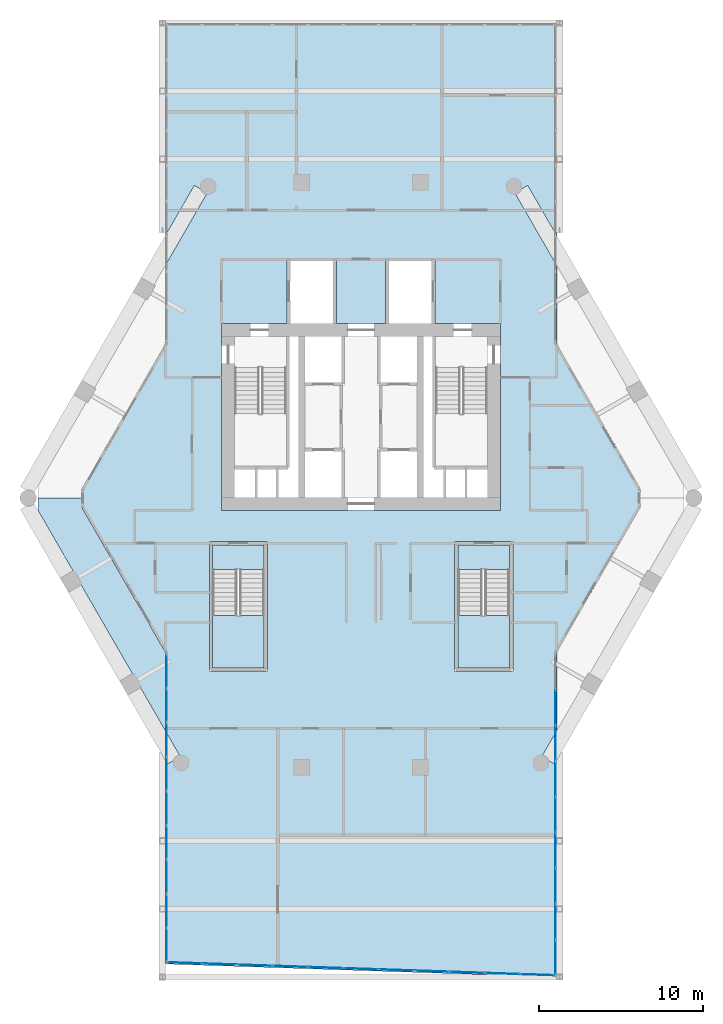
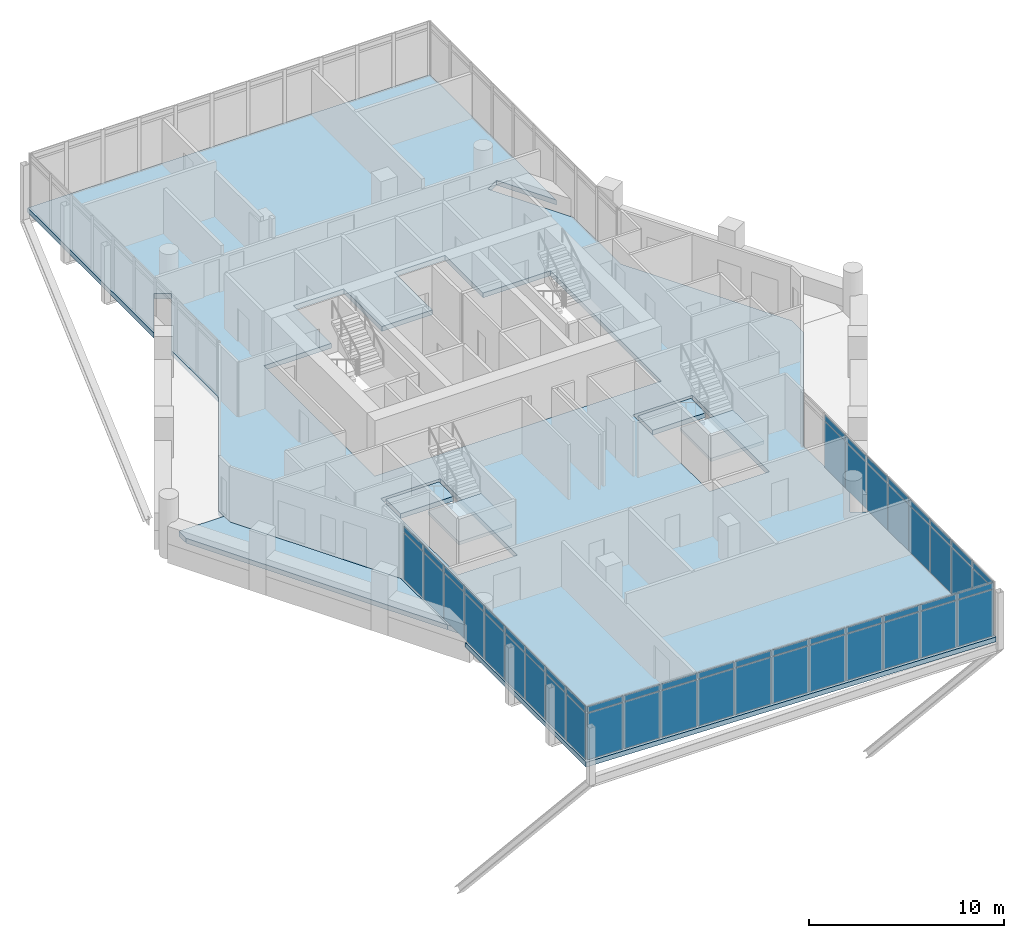
# One storey, part 29 of 38: 56 plates, 6 slabs, 5 elements without a shape of their own.
"""IFC4 building model written with IfcOpenShell, lengths in metres."""

from ifc_helpers import new_model, si_unit, direction, frame, origin, origin_2d, place, context, subcontext, project, spatial, polyline, rectangle, outline, extrude, material, layer, layer_set, type_object, element, aggregate, save


model = new_model("IFC4")

# Units and contexts
model_context = context("Model", 3, precision=1e-05, world=origin(), true_north=direction((0.0, 1.0)))
body_context = subcontext(model_context, "Body", "Model", "MODEL_VIEW")
ifc_project = project(units=[si_unit("LENGTHUNIT", "METRE"), si_unit("AREAUNIT", "SQUARE_METRE"), si_unit("VOLUMEUNIT", "CUBIC_METRE"), si_unit("PLANEANGLEUNIT", "RADIAN"), si_unit("MASSUNIT", "GRAM", prefix="KILO")], contexts=[model_context])

# Site, building, storey
site_placement = place(None, origin())
site = spatial("IfcSite", under=ifc_project, at=site_placement, CompositionType="ELEMENT")
building_placement = place(site_placement, origin())
building = spatial("IfcBuilding", under=site, at=building_placement, Name="Ostrander Bayou Hotel Tower", CompositionType="ELEMENT")
storey_placement = place(building_placement, frame((0.0, 0.0, 194.5)))
storey = spatial("IfcBuildingStorey", under=building, at=storey_placement, Name="L48", CompositionType="ELEMENT", Elevation=194.5)

# Curtain wall, plates
ifc_material_1 = material(Name="Aluminium and clear glass", Category="aluminium")
curtain_wall_type = type_object("IfcCurtainWallType", Name="CW-BAR glazed wall", PredefinedType="NOTDEFINED", material=ifc_material_1)
curtain_wall_1_placement = place(storey_placement, origin())
curtain_wall_1 = element("IfcCurtainWall", 1, at=curtain_wall_1_placement, inside=storey, type_object=curtain_wall_type, Name="CW-BAR L48:SB4S:E", PredefinedType="NOTDEFINED")
ifc_material_2 = material(Name="Clear laminated glass", Category="glass")
ifc_layer_1 = layer(ifc_material_2, 0.028076171875)
ifc_layer_set_1 = layer_set([ifc_layer_1], Name="CW-BR glazing panel 28 mm")
plate_type = type_object("IfcPlateType", Name="CW-BR glazing panel 28 mm", PredefinedType="CURTAIN_PANEL", material=ifc_layer_set_1)
plate_1_placement = place(storey_placement, frame((-11.857177734375, -11.521484375, 0.06005859375), z_axis=(0.0, 0.0, 1.0), x_axis=(0.0, -1.0, 0.0)))
plate_1 = element("IfcPlate", 2, at=plate_1_placement, type_object=plate_type, Name="CW-BAR panel 1.1", PredefinedType="CURTAIN_PANEL", context=body_context, shape_type="SweptSolid", body=[
    extrude(rectangle(XDim=1.997802734375, YDim=0.028076171875, at=origin_2d()), origin(), (0.0, 0.0, 1.0), 2.909912109375),
])
plate_2_placement = place(storey_placement, frame((-11.857177734375, -11.521484375, 3.02978515625), z_axis=(0.0, 0.0, 1.0), x_axis=(0.0, -1.0, 0.0)))
plate_2 = element("IfcPlate", 3, at=plate_2_placement, type_object=plate_type, Name="CW-BAR panel 1.2", PredefinedType="CURTAIN_PANEL", context=body_context, shape_type="SweptSolid", body=[
    extrude(rectangle(XDim=1.997802734375, YDim=0.028076171875, at=origin_2d()), origin(), (0.0, 0.0, 1.0), 0.360107421875),
])
plate_3_placement = place(storey_placement, frame((-11.857177734375, -13.59423828125, 0.06005859375), z_axis=(0.0, 0.0, 1.0), x_axis=(0.0, -1.0, 0.0)))
plate_3 = element("IfcPlate", 4, at=plate_3_placement, type_object=plate_type, Name="CW-BAR panel 2.1", PredefinedType="CURTAIN_PANEL", context=body_context, shape_type="SweptSolid", body=[
    extrude(rectangle(XDim=2.02783203125, YDim=0.028076171875, at=origin_2d()), origin(), (0.0, 0.0, 1.0), 2.909912109375),
])
plate_4_placement = place(storey_placement, frame((-11.857177734375, -13.59423828125, 3.02978515625), z_axis=(0.0, 0.0, 1.0), x_axis=(0.0, -1.0, 0.0)))
plate_4 = element("IfcPlate", 5, at=plate_4_placement, type_object=plate_type, Name="CW-BAR panel 2.2", PredefinedType="CURTAIN_PANEL", context=body_context, shape_type="SweptSolid", body=[
    extrude(rectangle(XDim=2.02783203125, YDim=0.028076171875, at=origin_2d()), origin(), (0.0, 0.0, 1.0), 0.360107421875),
])
plate_5_placement = place(storey_placement, frame((-11.857177734375, -15.68212890625, 0.06005859375), z_axis=(0.0, 0.0, 1.0), x_axis=(0.0, -1.0, 0.0)))
plate_5 = element("IfcPlate", 6, at=plate_5_placement, type_object=plate_type, Name="CW-BAR panel 3.1", PredefinedType="CURTAIN_PANEL", context=body_context, shape_type="SweptSolid", body=[
    extrude(rectangle(XDim=2.02783203125, YDim=0.028076171875, at=origin_2d()), origin(), (0.0, 0.0, 1.0), 2.909912109375),
])
plate_6_placement = place(storey_placement, frame((-11.857177734375, -15.68212890625, 3.02978515625), z_axis=(0.0, 0.0, 1.0), x_axis=(0.0, -1.0, 0.0)))
plate_6 = element("IfcPlate", 7, at=plate_6_placement, type_object=plate_type, Name="CW-BAR panel 3.2", PredefinedType="CURTAIN_PANEL", context=body_context, shape_type="SweptSolid", body=[
    extrude(rectangle(XDim=2.02783203125, YDim=0.028076171875, at=origin_2d()), origin(), (0.0, 0.0, 1.0), 0.360107421875),
])
plate_7_placement = place(storey_placement, frame((-11.857177734375, -17.769775390625, 0.06005859375), z_axis=(0.0, 0.0, 1.0), x_axis=(0.0, -1.0, 0.0)))
plate_7 = element("IfcPlate", 8, at=plate_7_placement, type_object=plate_type, Name="CW-BAR panel 4.1", PredefinedType="CURTAIN_PANEL", context=body_context, shape_type="SweptSolid", body=[
    extrude(rectangle(XDim=2.02783203125, YDim=0.028076171875, at=origin_2d()), origin(), (0.0, 0.0, 1.0), 2.909912109375),
])
plate_8_placement = place(storey_placement, frame((-11.857177734375, -17.769775390625, 3.02978515625), z_axis=(0.0, 0.0, 1.0), x_axis=(0.0, -1.0, 0.0)))
plate_8 = element("IfcPlate", 9, at=plate_8_placement, type_object=plate_type, Name="CW-BAR panel 4.2", PredefinedType="CURTAIN_PANEL", context=body_context, shape_type="SweptSolid", body=[
    extrude(rectangle(XDim=2.02783203125, YDim=0.028076171875, at=origin_2d()), origin(), (0.0, 0.0, 1.0), 0.360107421875),
])
plate_9_placement = place(storey_placement, frame((-11.857177734375, -19.857666015625, 0.06005859375), z_axis=(0.0, 0.0, 1.0), x_axis=(0.0, -1.0, 0.0)))
plate_9 = element("IfcPlate", 10, at=plate_9_placement, type_object=plate_type, Name="CW-BAR panel 5.1", PredefinedType="CURTAIN_PANEL", context=body_context, shape_type="SweptSolid", body=[
    extrude(rectangle(XDim=2.02783203125, YDim=0.028076171875, at=origin_2d()), origin(), (0.0, 0.0, 1.0), 2.909912109375),
])
plate_10_placement = place(storey_placement, frame((-11.857177734375, -19.857666015625, 3.02978515625), z_axis=(0.0, 0.0, 1.0), x_axis=(0.0, -1.0, 0.0)))
plate_10 = element("IfcPlate", 11, at=plate_10_placement, type_object=plate_type, Name="CW-BAR panel 5.2", PredefinedType="CURTAIN_PANEL", context=body_context, shape_type="SweptSolid", body=[
    extrude(rectangle(XDim=2.02783203125, YDim=0.028076171875, at=origin_2d()), origin(), (0.0, 0.0, 1.0), 0.360107421875),
])
plate_11_placement = place(storey_placement, frame((-11.857177734375, -21.9453125, 0.06005859375), z_axis=(0.0, 0.0, 1.0), x_axis=(0.0, -1.0, 0.0)))
plate_11 = element("IfcPlate", 12, at=plate_11_placement, type_object=plate_type, Name="CW-BAR panel 6.1", PredefinedType="CURTAIN_PANEL", context=body_context, shape_type="SweptSolid", body=[
    extrude(rectangle(XDim=2.02783203125, YDim=0.028076171875, at=origin_2d()), origin(), (0.0, 0.0, 1.0), 2.909912109375),
])
plate_12_placement = place(storey_placement, frame((-11.857177734375, -21.9453125, 3.02978515625), z_axis=(0.0, 0.0, 1.0), x_axis=(0.0, -1.0, 0.0)))
plate_12 = element("IfcPlate", 13, at=plate_12_placement, type_object=plate_type, Name="CW-BAR panel 6.2", PredefinedType="CURTAIN_PANEL", context=body_context, shape_type="SweptSolid", body=[
    extrude(rectangle(XDim=2.02783203125, YDim=0.028076171875, at=origin_2d()), origin(), (0.0, 0.0, 1.0), 0.360107421875),
])
plate_13_placement = place(storey_placement, frame((-11.857177734375, -24.033203125, 0.06005859375), z_axis=(0.0, 0.0, 1.0), x_axis=(0.0, -1.0, 0.0)))
plate_13 = element("IfcPlate", 14, at=plate_13_placement, type_object=plate_type, Name="CW-BAR panel 7.1", PredefinedType="CURTAIN_PANEL", context=body_context, shape_type="SweptSolid", body=[
    extrude(rectangle(XDim=2.02783203125, YDim=0.028076171875, at=origin_2d()), origin(), (0.0, 0.0, 1.0), 2.909912109375),
])
plate_14_placement = place(storey_placement, frame((-11.857177734375, -24.033203125, 3.02978515625), z_axis=(0.0, 0.0, 1.0), x_axis=(0.0, -1.0, 0.0)))
plate_14 = element("IfcPlate", 15, at=plate_14_placement, type_object=plate_type, Name="CW-BAR panel 7.2", PredefinedType="CURTAIN_PANEL", context=body_context, shape_type="SweptSolid", body=[
    extrude(rectangle(XDim=2.02783203125, YDim=0.028076171875, at=origin_2d()), origin(), (0.0, 0.0, 1.0), 0.360107421875),
])
plate_15_placement = place(storey_placement, frame((-11.857177734375, -26.120849609375, 0.06005859375), z_axis=(0.0, 0.0, 1.0), x_axis=(0.0, -1.0, 0.0)))
plate_15 = element("IfcPlate", 16, at=plate_15_placement, type_object=plate_type, Name="CW-BAR panel 8.1", PredefinedType="CURTAIN_PANEL", context=body_context, shape_type="SweptSolid", body=[
    extrude(rectangle(XDim=2.02783203125, YDim=0.028076171875, at=origin_2d()), origin(), (0.0, 0.0, 1.0), 2.909912109375),
])
plate_16_placement = place(storey_placement, frame((-11.857177734375, -26.120849609375, 3.02978515625), z_axis=(0.0, 0.0, 1.0), x_axis=(0.0, -1.0, 0.0)))
plate_16 = element("IfcPlate", 17, at=plate_16_placement, type_object=plate_type, Name="CW-BAR panel 8.2", PredefinedType="CURTAIN_PANEL", context=body_context, shape_type="SweptSolid", body=[
    extrude(rectangle(XDim=2.02783203125, YDim=0.028076171875, at=origin_2d()), origin(), (0.0, 0.0, 1.0), 0.360107421875),
])
plate_17_placement = place(storey_placement, frame((-11.857177734375, -28.193603515625, 0.06005859375), z_axis=(0.0, 0.0, 1.0), x_axis=(0.0, -1.0, 0.0)))
plate_17 = element("IfcPlate", 18, at=plate_17_placement, type_object=plate_type, Name="CW-BAR panel 9.1", PredefinedType="CURTAIN_PANEL", context=body_context, shape_type="SweptSolid", body=[
    extrude(rectangle(XDim=1.997802734375, YDim=0.028076171875, at=origin_2d()), origin(), (0.0, 0.0, 1.0), 2.909912109375),
])
plate_18_placement = place(storey_placement, frame((-11.857177734375, -28.193603515625, 3.02978515625), z_axis=(0.0, 0.0, 1.0), x_axis=(0.0, -1.0, 0.0)))
plate_18 = element("IfcPlate", 19, at=plate_18_placement, type_object=plate_type, Name="CW-BAR panel 9.2", PredefinedType="CURTAIN_PANEL", context=body_context, shape_type="SweptSolid", body=[
    extrude(rectangle(XDim=1.997802734375, YDim=0.028076171875, at=origin_2d()), origin(), (0.0, 0.0, 1.0), 0.360107421875),
])
aggregate(curtain_wall_1, [plate_1, plate_2, plate_3, plate_4, plate_5, plate_6, plate_7, plate_8, plate_9, plate_10, plate_11, plate_12, plate_13, plate_14, plate_15, plate_16, plate_17, plate_18])

curtain_wall_2_placement = place(storey_placement, origin())
curtain_wall_2 = element("IfcCurtainWall", 20, at=curtain_wall_2_placement, inside=storey, type_object=curtain_wall_type, Name="CW-BAR L48:SB4S:T", PredefinedType="NOTDEFINED")
plate_19_placement = place(storey_placement, frame((-10.76416015625, -29.2890625, 0.06005859375), z_axis=(0.0, 0.0, 1.0), x_axis=(0.999438546097, -0.03350511268, 0.0)))
plate_19 = element("IfcPlate", 21, at=plate_19_placement, type_object=plate_type, Name="CW-BAR panel 1.1", PredefinedType="CURTAIN_PANEL", context=body_context, shape_type="SweptSolid", body=[
    extrude(rectangle(XDim=2.067138671875, YDim=0.028076171875, at=origin_2d()), origin(), (0.0, 0.0, 1.0), 2.909912109375),
])
plate_20_placement = place(storey_placement, frame((-10.76416015625, -29.2890625, 3.02978515625), z_axis=(0.0, 0.0, 1.0), x_axis=(0.999438546097, -0.03350511268, 0.0)))
plate_20 = element("IfcPlate", 22, at=plate_20_placement, type_object=plate_type, Name="CW-BAR panel 1.2", PredefinedType="CURTAIN_PANEL", context=body_context, shape_type="SweptSolid", body=[
    extrude(rectangle(XDim=2.067138671875, YDim=0.028076171875, at=origin_2d()), origin(), (0.0, 0.0, 1.0), 0.360107421875),
])
plate_21_placement = place(storey_placement, frame((-8.62353515625, -29.36083984375, 0.06005859375), z_axis=(0.0, 0.0, 1.0), x_axis=(0.999438546097, -0.03350511268, 0.0)))
plate_21 = element("IfcPlate", 23, at=plate_21_placement, type_object=plate_type, Name="CW-BAR panel 2.1", PredefinedType="CURTAIN_PANEL", context=body_context, shape_type="SweptSolid", body=[
    extrude(rectangle(XDim=2.09716796875, YDim=0.028076171875, at=origin_2d()), origin(), (0.0, 0.0, 1.0), 2.909912109375),
])
plate_22_placement = place(storey_placement, frame((-8.62353515625, -29.36083984375, 3.02978515625), z_axis=(0.0, 0.0, 1.0), x_axis=(0.999438546097, -0.03350511268, 0.0)))
plate_22 = element("IfcPlate", 24, at=plate_22_placement, type_object=plate_type, Name="CW-BAR panel 2.2", PredefinedType="CURTAIN_PANEL", context=body_context, shape_type="SweptSolid", body=[
    extrude(rectangle(XDim=2.09716796875, YDim=0.028076171875, at=origin_2d()), origin(), (0.0, 0.0, 1.0), 0.360107421875),
])
plate_23_placement = place(storey_placement, frame((-6.467529296875, -29.43310546875, 0.06005859375), z_axis=(0.0, 0.0, 1.0), x_axis=(0.999438546097, -0.03350511268, 0.0)))
plate_23 = element("IfcPlate", 25, at=plate_23_placement, type_object=plate_type, Name="CW-BAR panel 3.1", PredefinedType="CURTAIN_PANEL", context=body_context, shape_type="SweptSolid", body=[
    extrude(rectangle(XDim=2.09716796875, YDim=0.028076171875, at=origin_2d()), origin(), (0.0, 0.0, 1.0), 2.909912109375),
])
plate_24_placement = place(storey_placement, frame((-6.467529296875, -29.43310546875, 3.02978515625), z_axis=(0.0, 0.0, 1.0), x_axis=(0.999438546097, -0.03350511268, 0.0)))
plate_24 = element("IfcPlate", 26, at=plate_24_placement, type_object=plate_type, Name="CW-BAR panel 3.2", PredefinedType="CURTAIN_PANEL", context=body_context, shape_type="SweptSolid", body=[
    extrude(rectangle(XDim=2.09716796875, YDim=0.028076171875, at=origin_2d()), origin(), (0.0, 0.0, 1.0), 0.360107421875),
])
plate_25_placement = place(storey_placement, frame((-4.311767578125, -29.50537109375, 0.06005859375), z_axis=(0.0, 0.0, 1.0), x_axis=(0.999438546097, -0.03350511268, 0.0)))
plate_25 = element("IfcPlate", 27, at=plate_25_placement, type_object=plate_type, Name="CW-BAR panel 4.1", PredefinedType="CURTAIN_PANEL", context=body_context, shape_type="SweptSolid", body=[
    extrude(rectangle(XDim=2.09716796875, YDim=0.028076171875, at=origin_2d()), origin(), (0.0, 0.0, 1.0), 2.909912109375),
])
plate_26_placement = place(storey_placement, frame((-4.311767578125, -29.50537109375, 3.02978515625), z_axis=(0.0, 0.0, 1.0), x_axis=(0.999438546097, -0.03350511268, 0.0)))
plate_26 = element("IfcPlate", 28, at=plate_26_placement, type_object=plate_type, Name="CW-BAR panel 4.2", PredefinedType="CURTAIN_PANEL", context=body_context, shape_type="SweptSolid", body=[
    extrude(rectangle(XDim=2.09716796875, YDim=0.028076171875, at=origin_2d()), origin(), (0.0, 0.0, 1.0), 0.360107421875),
])
plate_27_placement = place(storey_placement, frame((-2.15576171875, -29.57763671875, 0.06005859375), z_axis=(0.0, 0.0, 1.0), x_axis=(0.999438546097, -0.03350511268, 0.0)))
plate_27 = element("IfcPlate", 29, at=plate_27_placement, type_object=plate_type, Name="CW-BAR panel 5.1", PredefinedType="CURTAIN_PANEL", context=body_context, shape_type="SweptSolid", body=[
    extrude(rectangle(XDim=2.09716796875, YDim=0.028076171875, at=origin_2d()), origin(), (0.0, 0.0, 1.0), 2.909912109375),
])
plate_28_placement = place(storey_placement, frame((-2.15576171875, -29.57763671875, 3.02978515625), z_axis=(0.0, 0.0, 1.0), x_axis=(0.999438546097, -0.03350511268, 0.0)))
plate_28 = element("IfcPlate", 30, at=plate_28_placement, type_object=plate_type, Name="CW-BAR panel 5.2", PredefinedType="CURTAIN_PANEL", context=body_context, shape_type="SweptSolid", body=[
    extrude(rectangle(XDim=2.09716796875, YDim=0.028076171875, at=origin_2d()), origin(), (0.0, 0.0, 1.0), 0.360107421875),
])
plate_29_placement = place(storey_placement, frame((0.0, -29.64990234375, 0.06005859375), z_axis=(0.0, 0.0, 1.0), x_axis=(0.999438546097, -0.03350511268, 0.0)))
plate_29 = element("IfcPlate", 31, at=plate_29_placement, type_object=plate_type, Name="CW-BAR panel 6.1", PredefinedType="CURTAIN_PANEL", context=body_context, shape_type="SweptSolid", body=[
    extrude(rectangle(XDim=2.09716796875, YDim=0.028076171875, at=origin_2d()), origin(), (0.0, 0.0, 1.0), 2.909912109375),
])
plate_30_placement = place(storey_placement, frame((0.0, -29.64990234375, 3.02978515625), z_axis=(0.0, 0.0, 1.0), x_axis=(0.999438546097, -0.03350511268, 0.0)))
plate_30 = element("IfcPlate", 32, at=plate_30_placement, type_object=plate_type, Name="CW-BAR panel 6.2", PredefinedType="CURTAIN_PANEL", context=body_context, shape_type="SweptSolid", body=[
    extrude(rectangle(XDim=2.09716796875, YDim=0.028076171875, at=origin_2d()), origin(), (0.0, 0.0, 1.0), 0.360107421875),
])
plate_31_placement = place(storey_placement, frame((2.15576171875, -29.72216796875, 0.06005859375), z_axis=(0.0, 0.0, 1.0), x_axis=(0.999438546097, -0.03350511268, 0.0)))
plate_31 = element("IfcPlate", 33, at=plate_31_placement, type_object=plate_type, Name="CW-BAR panel 7.1", PredefinedType="CURTAIN_PANEL", context=body_context, shape_type="SweptSolid", body=[
    extrude(rectangle(XDim=2.09716796875, YDim=0.028076171875, at=origin_2d()), origin(), (0.0, 0.0, 1.0), 2.909912109375),
])
plate_32_placement = place(storey_placement, frame((2.15576171875, -29.72216796875, 3.02978515625), z_axis=(0.0, 0.0, 1.0), x_axis=(0.999438546097, -0.03350511268, 0.0)))
plate_32 = element("IfcPlate", 34, at=plate_32_placement, type_object=plate_type, Name="CW-BAR panel 7.2", PredefinedType="CURTAIN_PANEL", context=body_context, shape_type="SweptSolid", body=[
    extrude(rectangle(XDim=2.09716796875, YDim=0.028076171875, at=origin_2d()), origin(), (0.0, 0.0, 1.0), 0.360107421875),
])
plate_33_placement = place(storey_placement, frame((4.311767578125, -29.79443359375, 0.06005859375), z_axis=(0.0, 0.0, 1.0), x_axis=(0.999438546097, -0.03350511268, 0.0)))
plate_33 = element("IfcPlate", 35, at=plate_33_placement, type_object=plate_type, Name="CW-BAR panel 8.1", PredefinedType="CURTAIN_PANEL", context=body_context, shape_type="SweptSolid", body=[
    extrude(rectangle(XDim=2.09716796875, YDim=0.028076171875, at=origin_2d()), origin(), (0.0, 0.0, 1.0), 2.909912109375),
])
plate_34_placement = place(storey_placement, frame((4.311767578125, -29.79443359375, 3.02978515625), z_axis=(0.0, 0.0, 1.0), x_axis=(0.999438546097, -0.03350511268, 0.0)))
plate_34 = element("IfcPlate", 36, at=plate_34_placement, type_object=plate_type, Name="CW-BAR panel 8.2", PredefinedType="CURTAIN_PANEL", context=body_context, shape_type="SweptSolid", body=[
    extrude(rectangle(XDim=2.09716796875, YDim=0.028076171875, at=origin_2d()), origin(), (0.0, 0.0, 1.0), 0.360107421875),
])
plate_35_placement = place(storey_placement, frame((6.467529296875, -29.86669921875, 0.06005859375), z_axis=(0.0, 0.0, 1.0), x_axis=(0.999438546097, -0.03350511268, 0.0)))
plate_35 = element("IfcPlate", 37, at=plate_35_placement, type_object=plate_type, Name="CW-BAR panel 9.1", PredefinedType="CURTAIN_PANEL", context=body_context, shape_type="SweptSolid", body=[
    extrude(rectangle(XDim=2.09716796875, YDim=0.028076171875, at=origin_2d()), origin(), (0.0, 0.0, 1.0), 2.909912109375),
])
plate_36_placement = place(storey_placement, frame((6.467529296875, -29.86669921875, 3.02978515625), z_axis=(0.0, 0.0, 1.0), x_axis=(0.999438546097, -0.03350511268, 0.0)))
plate_36 = element("IfcPlate", 38, at=plate_36_placement, type_object=plate_type, Name="CW-BAR panel 9.2", PredefinedType="CURTAIN_PANEL", context=body_context, shape_type="SweptSolid", body=[
    extrude(rectangle(XDim=2.09716796875, YDim=0.028076171875, at=origin_2d()), origin(), (0.0, 0.0, 1.0), 0.360107421875),
])
plate_37_placement = place(storey_placement, frame((8.62353515625, -29.939208984375, 0.06005859375), z_axis=(0.0, 0.0, 1.0), x_axis=(0.999438546097, -0.03350511268, 0.0)))
plate_37 = element("IfcPlate", 39, at=plate_37_placement, type_object=plate_type, Name="CW-BAR panel 10.1", PredefinedType="CURTAIN_PANEL", context=body_context, shape_type="SweptSolid", body=[
    extrude(rectangle(XDim=2.09716796875, YDim=0.028076171875, at=origin_2d()), origin(), (0.0, 0.0, 1.0), 2.909912109375),
])
plate_38_placement = place(storey_placement, frame((8.62353515625, -29.939208984375, 3.02978515625), z_axis=(0.0, 0.0, 1.0), x_axis=(0.999438546097, -0.03350511268, 0.0)))
plate_38 = element("IfcPlate", 40, at=plate_38_placement, type_object=plate_type, Name="CW-BAR panel 10.2", PredefinedType="CURTAIN_PANEL", context=body_context, shape_type="SweptSolid", body=[
    extrude(rectangle(XDim=2.09716796875, YDim=0.028076171875, at=origin_2d()), origin(), (0.0, 0.0, 1.0), 0.360107421875),
])
plate_39_placement = place(storey_placement, frame((10.76416015625, -30.0107421875, 0.06005859375), z_axis=(0.0, 0.0, 1.0), x_axis=(0.999438546097, -0.03350511268, 0.0)))
plate_39 = element("IfcPlate", 41, at=plate_39_placement, type_object=plate_type, Name="CW-BAR panel 11.1", PredefinedType="CURTAIN_PANEL", context=body_context, shape_type="SweptSolid", body=[
    extrude(rectangle(XDim=2.067138671875, YDim=0.028076171875, at=origin_2d()), origin(), (0.0, 0.0, 1.0), 2.909912109375),
])
plate_40_placement = place(storey_placement, frame((10.76416015625, -30.0107421875, 3.02978515625), z_axis=(0.0, 0.0, 1.0), x_axis=(0.999438546097, -0.03350511268, 0.0)))
plate_40 = element("IfcPlate", 42, at=plate_40_placement, type_object=plate_type, Name="CW-BAR panel 11.2", PredefinedType="CURTAIN_PANEL", context=body_context, shape_type="SweptSolid", body=[
    extrude(rectangle(XDim=2.067138671875, YDim=0.028076171875, at=origin_2d()), origin(), (0.0, 0.0, 1.0), 0.360107421875),
])
aggregate(curtain_wall_2, [plate_19, plate_20, plate_21, plate_22, plate_23, plate_24, plate_25, plate_26, plate_27, plate_28, plate_29, plate_30, plate_31, plate_32, plate_33, plate_34, plate_35, plate_36, plate_37, plate_38, plate_39, plate_40])

curtain_wall_3_placement = place(storey_placement, origin())
curtain_wall_3 = element("IfcCurtainWall", 43, at=curtain_wall_3_placement, inside=storey, type_object=curtain_wall_type, Name="CW-BAR L48:SB4S:W", PredefinedType="NOTDEFINED")
plate_41_placement = place(storey_placement, frame((11.857177734375, -13.726806640625, 0.06005859375), z_axis=(0.0, 0.0, 1.0), x_axis=(0.0, -1.0, 0.0)))
plate_41 = element("IfcPlate", 44, at=plate_41_placement, type_object=plate_type, Name="CW-BAR panel 2.1", PredefinedType="CURTAIN_PANEL", context=body_context, shape_type="SweptSolid", body=[
    extrude(rectangle(XDim=2.1162109375, YDim=0.028076171875, at=origin_2d()), origin(), (0.0, 0.0, 1.0), 2.909912109375),
])
plate_42_placement = place(storey_placement, frame((11.857177734375, -13.726806640625, 3.02978515625), z_axis=(0.0, 0.0, 1.0), x_axis=(0.0, -1.0, 0.0)))
plate_42 = element("IfcPlate", 45, at=plate_42_placement, type_object=plate_type, Name="CW-BAR panel 2.2", PredefinedType="CURTAIN_PANEL", context=body_context, shape_type="SweptSolid", body=[
    extrude(rectangle(XDim=2.1162109375, YDim=0.028076171875, at=origin_2d()), origin(), (0.0, 0.0, 1.0), 0.360107421875),
])
plate_43_placement = place(storey_placement, frame((11.857177734375, -15.90283203125, 0.06005859375), z_axis=(0.0, 0.0, 1.0), x_axis=(0.0, -1.0, 0.0)))
plate_43 = element("IfcPlate", 46, at=plate_43_placement, type_object=plate_type, Name="CW-BAR panel 3.1", PredefinedType="CURTAIN_PANEL", context=body_context, shape_type="SweptSolid", body=[
    extrude(rectangle(XDim=2.1162109375, YDim=0.028076171875, at=origin_2d()), origin(), (0.0, 0.0, 1.0), 2.909912109375),
])
plate_44_placement = place(storey_placement, frame((11.857177734375, -15.90283203125, 3.02978515625), z_axis=(0.0, 0.0, 1.0), x_axis=(0.0, -1.0, 0.0)))
plate_44 = element("IfcPlate", 47, at=plate_44_placement, type_object=plate_type, Name="CW-BAR panel 3.2", PredefinedType="CURTAIN_PANEL", context=body_context, shape_type="SweptSolid", body=[
    extrude(rectangle(XDim=2.1162109375, YDim=0.028076171875, at=origin_2d()), origin(), (0.0, 0.0, 1.0), 0.360107421875),
])
plate_45_placement = place(storey_placement, frame((11.857177734375, -18.0791015625, 0.06005859375), z_axis=(0.0, 0.0, 1.0), x_axis=(0.0, -1.0, 0.0)))
plate_45 = element("IfcPlate", 48, at=plate_45_placement, type_object=plate_type, Name="CW-BAR panel 4.1", PredefinedType="CURTAIN_PANEL", context=body_context, shape_type="SweptSolid", body=[
    extrude(rectangle(XDim=2.1162109375, YDim=0.028076171875, at=origin_2d()), origin(), (0.0, 0.0, 1.0), 2.909912109375),
])
plate_46_placement = place(storey_placement, frame((11.857177734375, -18.0791015625, 3.02978515625), z_axis=(0.0, 0.0, 1.0), x_axis=(0.0, -1.0, 0.0)))
plate_46 = element("IfcPlate", 49, at=plate_46_placement, type_object=plate_type, Name="CW-BAR panel 4.2", PredefinedType="CURTAIN_PANEL", context=body_context, shape_type="SweptSolid", body=[
    extrude(rectangle(XDim=2.1162109375, YDim=0.028076171875, at=origin_2d()), origin(), (0.0, 0.0, 1.0), 0.360107421875),
])
plate_47_placement = place(storey_placement, frame((11.857177734375, -20.255126953125, 0.06005859375), z_axis=(0.0, 0.0, 1.0), x_axis=(0.0, -1.0, 0.0)))
plate_47 = element("IfcPlate", 50, at=plate_47_placement, type_object=plate_type, Name="CW-BAR panel 5.1", PredefinedType="CURTAIN_PANEL", context=body_context, shape_type="SweptSolid", body=[
    extrude(rectangle(XDim=2.1162109375, YDim=0.028076171875, at=origin_2d()), origin(), (0.0, 0.0, 1.0), 2.909912109375),
])
plate_48_placement = place(storey_placement, frame((11.857177734375, -20.255126953125, 3.02978515625), z_axis=(0.0, 0.0, 1.0), x_axis=(0.0, -1.0, 0.0)))
plate_48 = element("IfcPlate", 51, at=plate_48_placement, type_object=plate_type, Name="CW-BAR panel 5.2", PredefinedType="CURTAIN_PANEL", context=body_context, shape_type="SweptSolid", body=[
    extrude(rectangle(XDim=2.1162109375, YDim=0.028076171875, at=origin_2d()), origin(), (0.0, 0.0, 1.0), 0.360107421875),
])
plate_49_placement = place(storey_placement, frame((11.857177734375, -22.43115234375, 0.06005859375), z_axis=(0.0, 0.0, 1.0), x_axis=(0.0, -1.0, 0.0)))
plate_49 = element("IfcPlate", 52, at=plate_49_placement, type_object=plate_type, Name="CW-BAR panel 6.1", PredefinedType="CURTAIN_PANEL", context=body_context, shape_type="SweptSolid", body=[
    extrude(rectangle(XDim=2.1162109375, YDim=0.028076171875, at=origin_2d()), origin(), (0.0, 0.0, 1.0), 2.909912109375),
])
plate_50_placement = place(storey_placement, frame((11.857177734375, -22.43115234375, 3.02978515625), z_axis=(0.0, 0.0, 1.0), x_axis=(0.0, -1.0, 0.0)))
plate_50 = element("IfcPlate", 53, at=plate_50_placement, type_object=plate_type, Name="CW-BAR panel 6.2", PredefinedType="CURTAIN_PANEL", context=body_context, shape_type="SweptSolid", body=[
    extrude(rectangle(XDim=2.1162109375, YDim=0.028076171875, at=origin_2d()), origin(), (0.0, 0.0, 1.0), 0.360107421875),
])
plate_51_placement = place(storey_placement, frame((11.857177734375, -24.607177734375, 0.06005859375), z_axis=(0.0, 0.0, 1.0), x_axis=(0.0, -1.0, 0.0)))
plate_51 = element("IfcPlate", 54, at=plate_51_placement, type_object=plate_type, Name="CW-BAR panel 7.1", PredefinedType="CURTAIN_PANEL", context=body_context, shape_type="SweptSolid", body=[
    extrude(rectangle(XDim=2.1162109375, YDim=0.028076171875, at=origin_2d()), origin(), (0.0, 0.0, 1.0), 2.909912109375),
])
plate_52_placement = place(storey_placement, frame((11.857177734375, -24.607177734375, 3.02978515625), z_axis=(0.0, 0.0, 1.0), x_axis=(0.0, -1.0, 0.0)))
plate_52 = element("IfcPlate", 55, at=plate_52_placement, type_object=plate_type, Name="CW-BAR panel 7.2", PredefinedType="CURTAIN_PANEL", context=body_context, shape_type="SweptSolid", body=[
    extrude(rectangle(XDim=2.1162109375, YDim=0.028076171875, at=origin_2d()), origin(), (0.0, 0.0, 1.0), 0.360107421875),
])
plate_53_placement = place(storey_placement, frame((11.857177734375, -26.783447265625, 0.06005859375), z_axis=(0.0, 0.0, 1.0), x_axis=(0.0, -1.0, 0.0)))
plate_53 = element("IfcPlate", 56, at=plate_53_placement, type_object=plate_type, Name="CW-BAR panel 8.1", PredefinedType="CURTAIN_PANEL", context=body_context, shape_type="SweptSolid", body=[
    extrude(rectangle(XDim=2.1162109375, YDim=0.028076171875, at=origin_2d()), origin(), (0.0, 0.0, 1.0), 2.909912109375),
])
plate_54_placement = place(storey_placement, frame((11.857177734375, -26.783447265625, 3.02978515625), z_axis=(0.0, 0.0, 1.0), x_axis=(0.0, -1.0, 0.0)))
plate_54 = element("IfcPlate", 57, at=plate_54_placement, type_object=plate_type, Name="CW-BAR panel 8.2", PredefinedType="CURTAIN_PANEL", context=body_context, shape_type="SweptSolid", body=[
    extrude(rectangle(XDim=2.1162109375, YDim=0.028076171875, at=origin_2d()), origin(), (0.0, 0.0, 1.0), 0.360107421875),
])
plate_55_placement = place(storey_placement, frame((11.857177734375, -28.9443359375, 0.06005859375), z_axis=(0.0, 0.0, 1.0), x_axis=(0.0, -1.0, 0.0)))
plate_55 = element("IfcPlate", 58, at=plate_55_placement, type_object=plate_type, Name="CW-BAR panel 9.1", PredefinedType="CURTAIN_PANEL", context=body_context, shape_type="SweptSolid", body=[
    extrude(rectangle(XDim=2.086181640625, YDim=0.028076171875, at=origin_2d()), origin(), (0.0, 0.0, 1.0), 2.909912109375),
])
plate_56_placement = place(storey_placement, frame((11.857177734375, -28.9443359375, 3.02978515625), z_axis=(0.0, 0.0, 1.0), x_axis=(0.0, -1.0, 0.0)))
plate_56 = element("IfcPlate", 59, at=plate_56_placement, type_object=plate_type, Name="CW-BAR panel 9.2", PredefinedType="CURTAIN_PANEL", context=body_context, shape_type="SweptSolid", body=[
    extrude(rectangle(XDim=2.086181640625, YDim=0.028076171875, at=origin_2d()), origin(), (0.0, 0.0, 1.0), 0.360107421875),
])
aggregate(curtain_wall_3, [plate_41, plate_42, plate_43, plate_44, plate_45, plate_46, plate_47, plate_48, plate_49, plate_50, plate_51, plate_52, plate_53, plate_54, plate_55, plate_56])

# Slabs
ifc_material_3 = material(Name="Concrete f'c 40 MPa", Category="concrete")
ifc_layer_2 = layer(ifc_material_3, 0.300048828125)
ifc_layer_set_2 = layer_set([ifc_layer_2], Name="SL1 floor slab 300 mm f'c 40 MPa")
slab_type_1 = type_object("IfcSlabType", Name="SL1 floor slab 300 mm f'c 40 MPa", PredefinedType="FLOOR", material=ifc_layer_set_2)
slab_1_placement = place(storey_placement, frame((0.0, 0.0, -0.300048828125)))
element("IfcSlab", 60, at=slab_1_placement, inside=storey, type_object=slab_type_1, Name="SL1 L48 1", PredefinedType="FLOOR", context=body_context, shape_type="SweptSolid", body=[
    extrude(outline(polyline([(-11.80322265625, -17.156005859375), (-11.02392578125, -16.7060546875), (-11.93212890625, -15.1328125), (-11.93212890625, -10.332763671875), (-17.00341796875, -1.54931640625), (-17.00341796875, -0.34912109375), (-11.93212890625, 8.4345703125), (-11.93212890625, 13.234619140625), (-9.3798828125, 17.6552734375), (-10.1591796875, 18.105224609375), (-11.93212890625, 15.034423828125), (-11.93212890625, 28.01611328125), (11.93212890625, 28.01611328125), (11.93212890625, 15.034423828125), (10.1591796875, 18.105224609375), (9.3798828125, 17.6552734375), (11.93212890625, 13.234619140625), (11.93212890625, 8.4345703125), (17.00341796875, -0.34912109375), (17.00341796875, -1.54931640625), (11.93212890625, -10.332763671875), (11.93212890625, -15.1328125), (11.02392578125, -16.7060546875), (11.80322265625, -17.156005859375), (11.93212890625, -16.932861328125), (11.93212890625, -30.14990234375), (-11.93212890625, -29.35009765625), (-11.93212890625, -16.932861328125), (-11.80322265625, -17.156005859375)]), holes=[polyline([(9.25, -3.60009765625), (5.699951171875, -3.60009765625), (5.699951171875, -11.5), (9.25, -11.5), (9.25, -3.60009765625)]), polyline([(-8.5, -1.699951171875), (8.5, -1.699951171875), (8.5, 9.699951171875), (4.5, 9.699951171875), (4.5, 13.60009765625), (1.5, 13.60009765625), (1.5, 9.699951171875), (-1.5, 9.699951171875), (-1.5, 13.60009765625), (-4.5, 13.60009765625), (-4.5, 9.699951171875), (-8.5, 9.699951171875), (-8.5, -1.699951171875)]), polyline([(-5.699951171875, -3.60009765625), (-9.25, -3.60009765625), (-9.25, -11.5), (-5.699951171875, -11.5), (-5.699951171875, -3.60009765625)])]), origin(), (0.0, 0.0, 1.0), 0.300048828125),
])
slab_2_placement = place(storey_placement, frame((0.0, 0.0, -0.300048828125)))
element("IfcSlab", 61, at=slab_2_placement, inside=storey, type_object=slab_type_1, Name="cslab:L48:004", PredefinedType="FLOOR", context=body_context, shape_type="SweptSolid", body=[
    extrude(outline(polyline([(9.050048828125, -5.300048828125), (9.050048828125, -3.800048828125), (5.89990234375, -3.800048828125), (5.89990234375, -5.300048828125), (9.050048828125, -5.300048828125)])), origin(), (0.0, 0.0, 1.0), 0.300048828125),
])
slab_3_placement = place(storey_placement, frame((0.0, 0.0, -0.300048828125)))
element("IfcSlab", 62, at=slab_3_placement, inside=storey, type_object=slab_type_1, Name="cslab:L48:005", PredefinedType="FLOOR", context=body_context, shape_type="SweptSolid", body=[
    extrude(outline(polyline([(-5.89990234375, -5.300048828125), (-5.89990234375, -3.800048828125), (-9.050048828125, -3.800048828125), (-9.050048828125, -5.300048828125), (-5.89990234375, -5.300048828125)])), origin(), (0.0, 0.0, 1.0), 0.300048828125),
])
ifc_material_4 = material(Name="Concrete f'c 40 MPa", Category="concrete")
ifc_layer_3 = layer(ifc_material_4, 0.300048828125)
ifc_layer_set_3 = layer_set([ifc_layer_3], Name="SL4 loggia slab 300 mm f'c 40 MPa")
slab_type_2 = type_object("IfcSlabType", Name="SL4 loggia slab 300 mm f'c 40 MPa", PredefinedType="FLOOR", material=ifc_layer_set_3)
slab_4_placement = place(storey_placement, frame((0.0, 0.0, -0.300048828125)))
element("IfcSlab", 63, at=slab_4_placement, inside=storey, type_object=slab_type_2, Name="SL4 LOGGIA L48 SW 1", PredefinedType="FLOOR", context=body_context, shape_type="SweptSolid", body=[
    extrude(outline(polyline([(-11.93212890625, -11.873046875), (-11.93212890625, -15.1328125), (-13.457763671875, -12.490478515625), (-13.927734375, -11.67626953125), (-17.075927734375, -6.2236328125), (-17.5458984375, -5.40966796875), (-19.538818359375, -1.9580078125), (-19.68798828125, -1.69921875), (-19.68798828125, -0.94921875), (-17.00341796875, -0.94921875), (-17.00341796875, -1.54931640625), (-11.93212890625, -10.332763671875), (-11.93212890625, -11.873046875)])), origin(), (0.0, 0.0, 1.0), 0.300048828125),
])

# Stair, slab
ifc_material_5 = material(Name="Concrete f'c 45 MPa", Category="concrete")
stair_type = type_object("IfcStairType", Name="ST1 exit stair 1500 mm f'c 45 MPa", PredefinedType="HALF_TURN_STAIR", material=ifc_material_5)
stair_1_placement = place(storey_placement, origin())
stair_1 = element("IfcStair", 64, at=stair_1_placement, inside=storey, type_object=stair_type, Name="L48 exit stair C", PredefinedType="HALF_TURN_STAIR")
ifc_material_6 = material(Name="Concrete f'c 45 MPa", Category="concrete")
ifc_layer_4 = layer(ifc_material_6, 0.199951171875)
ifc_layer_set_4 = layer_set([ifc_layer_4], Name="SL8 stair landing 200 mm f'c 45 MPa")
slab_type_3 = type_object("IfcSlabType", Name="SL8 stair landing 200 mm f'c 45 MPa", PredefinedType="LANDING", material=ifc_layer_set_4)
slab_5_placement = place(storey_placement, frame((0.0, 0.0, 1.675048828125)))
slab_5 = element("IfcSlab", 65, at=slab_5_placement, type_object=slab_type_3, Name="STC landing 1", PredefinedType="LANDING", context=body_context, shape_type="SweptSolid", body=[
    extrude(outline(polyline([(5.89990234375, -8.10009765625), (5.89990234375, -11.300048828125), (9.050048828125, -11.300048828125), (9.050048828125, -8.10009765625), (5.89990234375, -8.10009765625)])), origin(), (0.0, 0.0, 1.0), 0.199951171875),
])
aggregate(stair_1, [slab_5])

stair_2_placement = place(storey_placement, origin())
stair_2 = element("IfcStair", 66, at=stair_2_placement, inside=storey, type_object=stair_type, Name="L48 exit stair D", PredefinedType="HALF_TURN_STAIR")
slab_6_placement = place(storey_placement, frame((0.0, 0.0, 1.675048828125)))
slab_6 = element("IfcSlab", 67, at=slab_6_placement, type_object=slab_type_3, Name="STD landing 1", PredefinedType="LANDING", context=body_context, shape_type="SweptSolid", body=[
    extrude(outline(polyline([(-9.050048828125, -8.10009765625), (-9.050048828125, -11.300048828125), (-5.89990234375, -11.300048828125), (-5.89990234375, -8.10009765625), (-9.050048828125, -8.10009765625)])), origin(), (0.0, 0.0, 1.0), 0.199951171875),
])
aggregate(stair_2, [slab_6])

save(model, "model.ifc")
